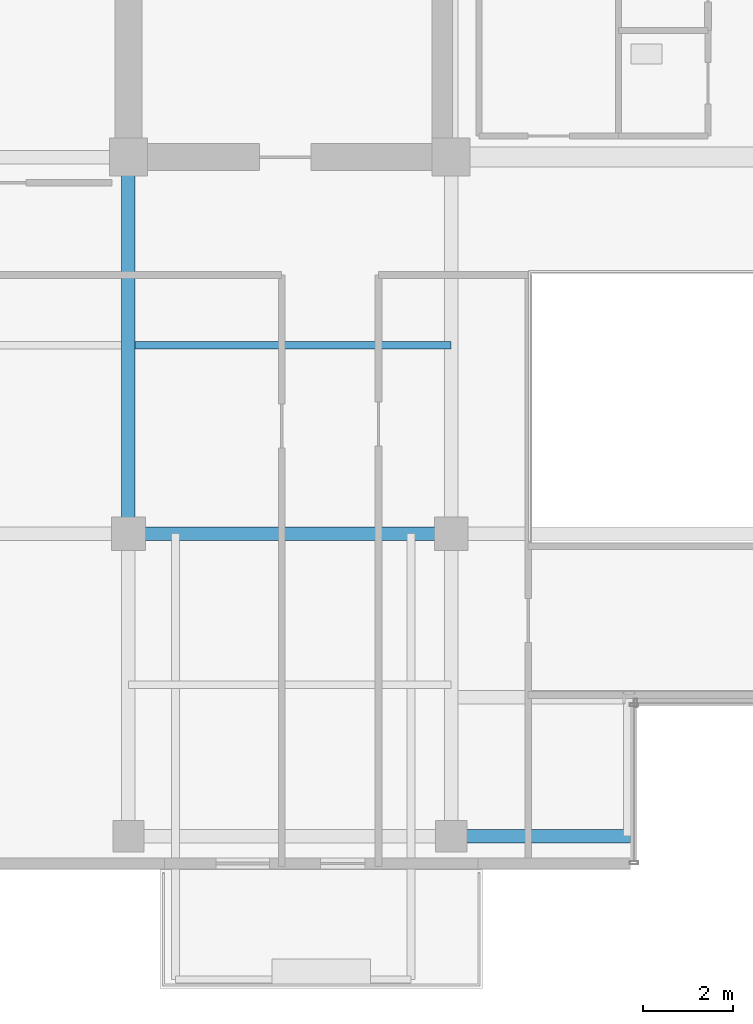
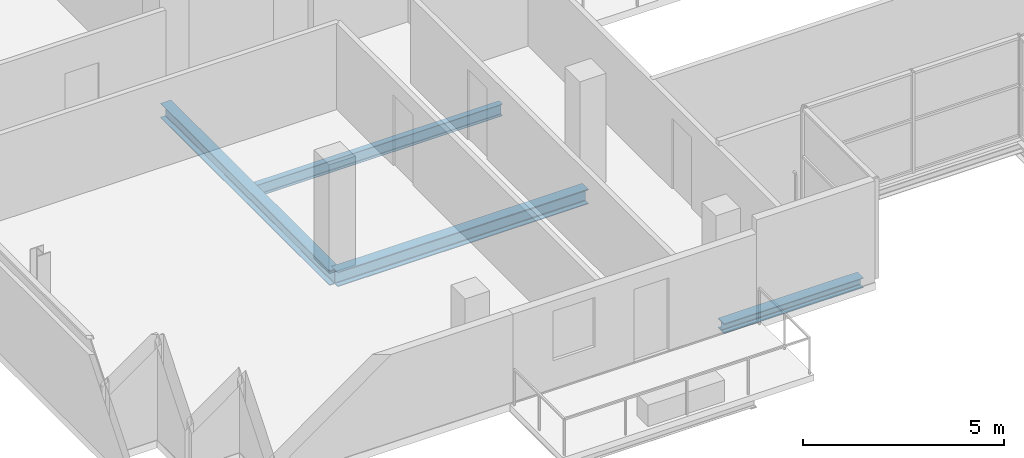
# One storey, part 5 of 22: 4 beams.
"""IFC4 building model written with IfcOpenShell, lengths in metres."""

from ifc_helpers import new_model, si_unit, direction, frame, origin, origin_2d, place, context, subcontext, project, spatial, i_section, extrude, material, material_profile, profile_set, type_object, element, save


model = new_model("IFC4")

# Units and contexts
model_context = context("Model", 3, precision=1e-05, world=origin(), true_north=direction((0.0, 1.0)))
body_context = subcontext(model_context, "Body", "Model", "MODEL_VIEW")
ifc_project = project(units=[si_unit("LENGTHUNIT", "METRE"), si_unit("AREAUNIT", "SQUARE_METRE"), si_unit("VOLUMEUNIT", "CUBIC_METRE"), si_unit("PLANEANGLEUNIT", "RADIAN"), si_unit("MASSUNIT", "GRAM", prefix="KILO")], contexts=[model_context])

# Site, building, storey
site_placement = place(None, origin())
site = spatial("IfcSite", under=ifc_project, at=site_placement, CompositionType="ELEMENT")
building_placement = place(site_placement, origin())
building = spatial("IfcBuilding", under=site, at=building_placement, Name="Zarnakvel Exchange Tower", CompositionType="ELEMENT")
storey_placement = place(building_placement, frame((0.0, 0.0, 225.39990234375)))
storey = spatial("IfcBuildingStorey", under=building, at=storey_placement, Name="L63", CompositionType="ELEMENT", Elevation=225.39990234375)

# Beams
ifc_material = material(Name="Steel S355", Category="steel")
ifc_material_profile_1 = material_profile(ifc_material, i_section(OverallWidth=0.169921875, OverallDepth=0.360107421875, WebThickness=0.008056640625, FlangeThickness=0.0126953125, FilletRadius=0.01806640625, at=origin_2d()))
ifc_profile_set_1 = profile_set([ifc_material_profile_1], Name="Steel S355")
beam_type_1 = type_object("IfcBeamType", Name="B-07", PredefinedType="JOIST", material=ifc_profile_set_1)
beam_1_placement = place(storey_placement, frame((-14.25, -5.39990234375, -0.40478515625), z_axis=(1.0, 0.0, 0.0), x_axis=(0.0, 1.0, 0.0)))
element("IfcBeam", 1, at=beam_1_placement, inside=storey, type_object=beam_type_1, Name="L63 Composite Floor Secondary Joist", PredefinedType="JOIST", context=body_context, shape_type="SweptSolid", body=[
    extrude(i_section(OverallWidth=0.169921875, OverallDepth=0.360107421875, WebThickness=0.008056640625, FlangeThickness=0.0126953125, FilletRadius=0.01806640625, at=origin_2d()), origin(), (0.0, 0.0, 1.0), 7.050048828125),
])
ifc_material_profile_2 = material_profile(ifc_material, i_section(OverallWidth=0.300048828125, OverallDepth=0.449951171875, WebThickness=0.013916015625, FlangeThickness=0.02587890625, FilletRadius=0.027099609375, at=origin_2d()))
ifc_profile_set_2 = profile_set([ifc_material_profile_2], Name="Steel S355")
beam_type_2 = type_object("IfcBeamType", Name="G-07", PredefinedType="BEAM", material=ifc_profile_set_2)
beam_2_placement = place(storey_placement, frame((-14.39990234375, -9.60009765625, -0.449951171875), z_axis=(1.0, 0.0, 0.0), x_axis=(0.0, 1.0, 0.0)))
element("IfcBeam", 2, at=beam_2_placement, inside=storey, type_object=beam_type_2, Name="L63 Tower E-W Frame Beam", PredefinedType="BEAM", context=body_context, shape_type="SweptSolid", body=[
    extrude(i_section(OverallWidth=0.300048828125, OverallDepth=0.449951171875, WebThickness=0.013916015625, FlangeThickness=0.02587890625, FilletRadius=0.027099609375, at=origin_2d()), origin(), (0.0, 0.0, 1.0), 7.199951171875),
])
beam_3_placement = place(storey_placement, frame((-14.39990234375, -9.60009765625, -0.449951171875), z_axis=(0.0, 1.0, 0.0), x_axis=(-1.0, 0.0, 0.0)))
element("IfcBeam", 3, at=beam_3_placement, inside=storey, type_object=beam_type_2, Name="L63 Tower N-S Frame Beam", PredefinedType="BEAM", context=body_context, shape_type="SweptSolid", body=[
    extrude(i_section(OverallWidth=0.300048828125, OverallDepth=0.449951171875, WebThickness=0.013916015625, FlangeThickness=0.02587890625, FilletRadius=0.027099609375, at=origin_2d()), origin(), (0.0, 0.0, 1.0), 8.400146484375),
])
ifc_material_profile_3 = material_profile(ifc_material, i_section(OverallWidth=0.300048828125, OverallDepth=0.300048828125, WebThickness=0.010986328125, FlangeThickness=0.01904296875, FilletRadius=0.027099609375, at=origin_2d()))
ifc_profile_set_3 = profile_set([ifc_material_profile_3], Name="Steel S355")
beam_type_3 = type_object("IfcBeamType", Name="SP-03", PredefinedType="SPANDREL", material=ifc_profile_set_3)
beam_4_placement = place(storey_placement, frame((-7.199951171875, -16.35009765625, -0.375), z_axis=(1.0, 0.0, 0.0), x_axis=(0.0, 1.0, 0.0)))
element("IfcBeam", 4, at=beam_4_placement, inside=storey, type_object=beam_type_3, Name="L63 South Slot West Jamb Spandrel", PredefinedType="SPANDREL", context=body_context, shape_type="SweptSolid", body=[
    extrude(i_section(OverallWidth=0.300048828125, OverallDepth=0.300048828125, WebThickness=0.010986328125, FlangeThickness=0.01904296875, FilletRadius=0.027099609375, at=origin_2d()), origin(), (0.0, 0.0, 1.0), 4.0),
])

save(model, "model.ifc")
